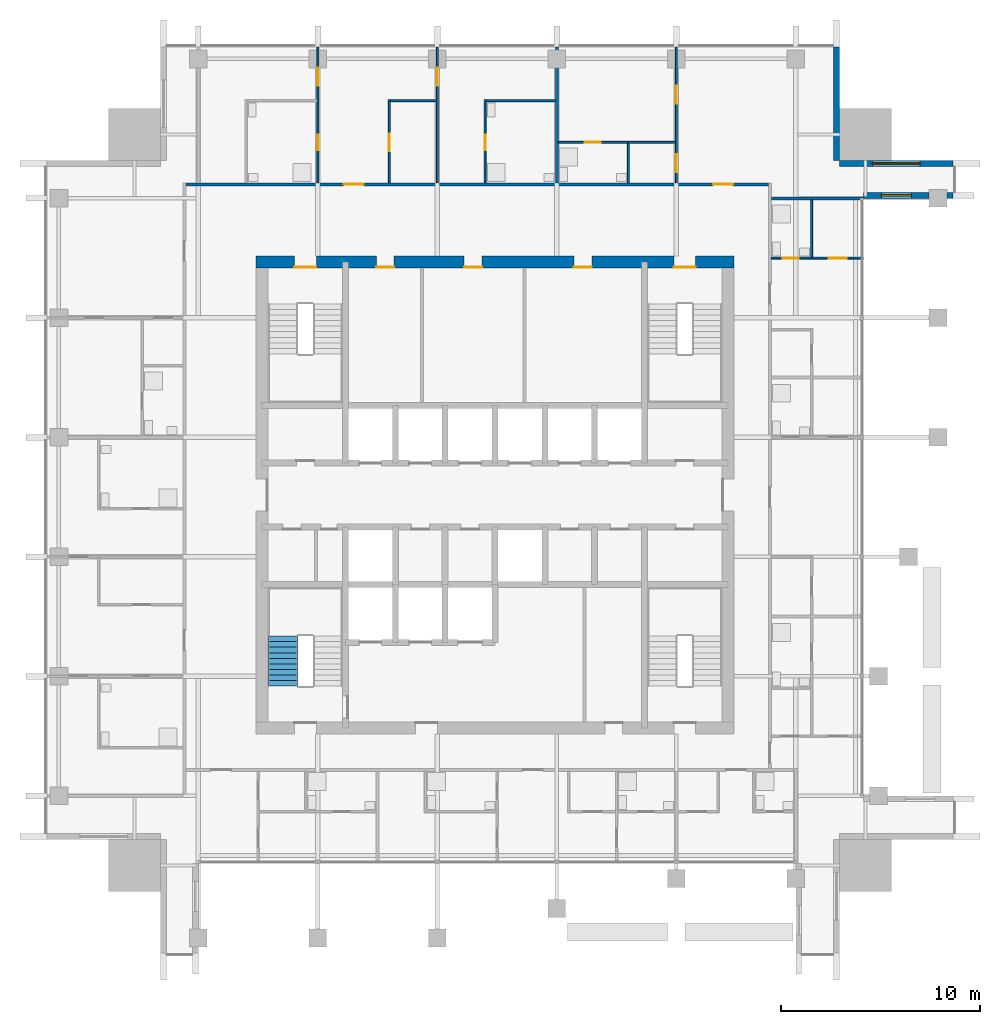
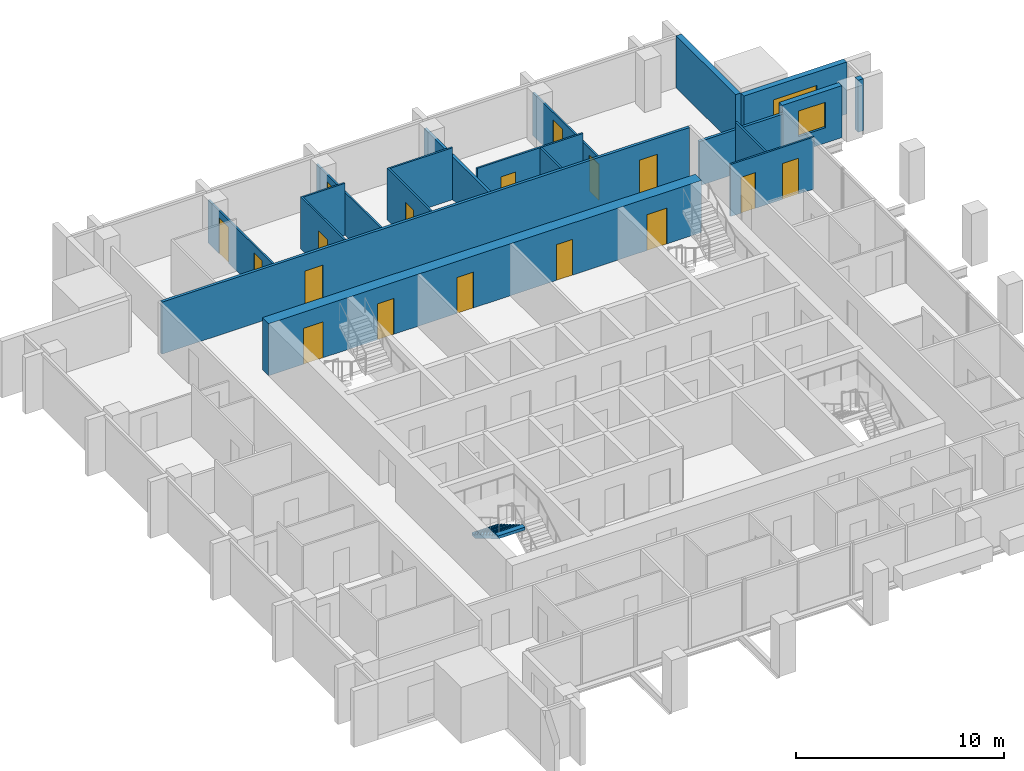
# One storey, part 11 of 14: 19 walls, 17 doors, 2 windows, 1 stair flight, 19 openings, 1 element without a shape of its own.
"""IFC4 building model written with IfcOpenShell, lengths in metres."""

from ifc_helpers import new_model, si_unit, direction, frame, frame_2d, origin, place, context, subcontext, project, spatial, polyline, rectangle, outline, extrude, material, layer, layer_set, type_object, element, fill, aggregate, save


model = new_model("IFC4")

# Units and contexts
model_context = context("Model", 3, precision=1e-05, world=origin(), true_north=direction((0.0, 1.0)))
body_context = subcontext(model_context, "Body", "Model", "MODEL_VIEW")
ifc_project = project(units=[si_unit("LENGTHUNIT", "METRE"), si_unit("AREAUNIT", "SQUARE_METRE"), si_unit("VOLUMEUNIT", "CUBIC_METRE"), si_unit("PLANEANGLEUNIT", "RADIAN"), si_unit("MASSUNIT", "GRAM", prefix="KILO")], contexts=[model_context])

# Site, building, storey
site_placement = place(None, origin())
site = spatial("IfcSite", under=ifc_project, at=site_placement, CompositionType="ELEMENT")
building_placement = place(site_placement, origin())
building = spatial("IfcBuilding", under=site, at=building_placement, Name="Amberfall Residences", CompositionType="ELEMENT")
storey_placement = place(building_placement, frame((0.0, 0.0, 220.0)))
storey = spatial("IfcBuildingStorey", under=building, at=storey_placement, Name="L59", CompositionType="ELEMENT", Elevation=220.0)

# Wall, opening, window
ifc_material_1 = material(Name="Pale stone cladding on insulated backing", Category="masonry")
ifc_layer_1 = layer(ifc_material_1, 0.300048828125)
ifc_layer_set_1 = layer_set([ifc_layer_1], Name="Bronze clad wall 300")
wall_type_1 = type_object("IfcWallType", Name="Bronze clad wall 300", PredefinedType="SOLIDWALL", material=ifc_layer_set_1)
wall_1_placement = place(storey_placement, frame((93.0, 60.550048828125, 0.0), z_axis=(0.0, 0.0, 1.0), x_axis=(1.0, 0.0, 0.0)))
wall_1 = element("IfcWall", 1, at=wall_1_placement, inside=storey, type_object=wall_type_1, Name="External wall L59 E", PredefinedType="SOLIDWALL", context=body_context, shape_type="SweptSolid", body=[
    extrude(rectangle(XDim=3.300048828125, YDim=0.300048828125, at=frame_2d((1.64990234375, 0.0))), origin(), (0.0, 0.0, 1.0), 3.050048828125),
])
opening_1_placement = place(wall_1_placement, frame((0.89990234375, 0.0, 0.89990234375)))
opening_1 = element("IfcOpeningElement", 2, at=opening_1_placement, cuts=wall_1, Name="Opening WN1", PredefinedType="OPENING", context=body_context, shape_type="SweptSolid", body=[
    extrude(rectangle(XDim=1.5, YDim=1.5, at=frame_2d((0.75, 0.75))), frame((0.0, 0.159912109375, 0.0), z_axis=(0.0, -1.0, 0.0), x_axis=(1.0, 0.0, 0.0)), (0.0, 0.0, 1.0), 0.320068359375),
])
ifc_material_2 = material(Name="Bronze aluminium framed glazing", Category="aluminium")
window_type_1 = type_object("IfcWindowType", Name="Window 1500 x 1500 bronze", PartitioningType="DOUBLE_PANEL_VERTICAL", PredefinedType="WINDOW", material=ifc_material_2)
window_1_placement = place(opening_1_placement, origin())
window_1 = element("IfcWindow", 3, at=window_1_placement, inside=storey, type_object=window_type_1, Name="Window L59 E", OverallHeight=1.5, OverallWidth=1.5, PartitioningType="DOUBLE_PANEL_VERTICAL", PredefinedType="WINDOW", context=body_context, shape_type="SweptSolid", body=[
    extrude(rectangle(XDim=1.5, YDim=1.5, at=frame_2d((0.75, 0.75))), frame((0.0, 0.030029296875, 0.0), z_axis=(0.0, -1.0, 0.0), x_axis=(1.0, 0.0, 0.0)), (0.0, 0.0, 1.0), 0.06005859375),
])
fill(opening_1, window_1)

# Wall
wall_2_placement = place(storey_placement, frame((97.199951171875, 60.550048828125, 0.0), z_axis=(0.0, 0.0, 1.0), x_axis=(1.0, 0.0, 0.0)))
element("IfcWall", 4, at=wall_2_placement, inside=storey, type_object=wall_type_1, Name="External wall L59 E", PredefinedType="SOLIDWALL", context=body_context, shape_type="SweptSolid", body=[
    extrude(rectangle(XDim=0.300048828125, YDim=0.300048828125, at=frame_2d((0.14990234375, 0.0))), origin(), (0.0, 0.0, 1.0), 3.050048828125),
])

# Wall, opening, window
wall_3_placement = place(storey_placement, frame((97.5, 62.14990234375, 0.0), z_axis=(0.0, 0.0, 1.0), x_axis=(-1.0, 0.0, 0.0)))
wall_3 = element("IfcWall", 5, at=wall_3_placement, inside=storey, type_object=wall_type_1, Name="External wall L59 NE", PredefinedType="SOLIDWALL", context=body_context, shape_type="SweptSolid", body=[
    extrude(rectangle(XDim=5.699951171875, YDim=0.300048828125, at=frame_2d((2.85009765625, 0.0))), origin(), (0.0, 0.0, 1.0), 3.050048828125),
])
opening_2_placement = place(wall_3_placement, frame((1.64990234375, 0.0, 0.14990234375)))
opening_2 = element("IfcOpeningElement", 6, at=opening_2_placement, cuts=wall_3, Name="Opening WN5", PredefinedType="OPENING", context=body_context, shape_type="SweptSolid", body=[
    extrude(rectangle(XDim=2.39990234375, YDim=2.10009765625, at=frame_2d((1.199951171875, 1.050048828125))), frame((0.0, 0.159912109375, 0.0), z_axis=(0.0, -1.0, 0.0), x_axis=(1.0, 0.0, 0.0)), (0.0, 0.0, 1.0), 0.320068359375),
])
window_type_2 = type_object("IfcWindowType", Name="Glazed opening 2400 x 2100 bronze", PartitioningType="DOUBLE_PANEL_VERTICAL", PredefinedType="WINDOW", material=ifc_material_2)
window_2_placement = place(opening_2_placement, origin())
window_2 = element("IfcWindow", 7, at=window_2_placement, inside=storey, type_object=window_type_2, Name="Window L59 NE", OverallHeight=2.10009765625, OverallWidth=2.39990234375, PartitioningType="DOUBLE_PANEL_VERTICAL", PredefinedType="WINDOW", context=body_context, shape_type="SweptSolid", body=[
    extrude(rectangle(XDim=2.39990234375, YDim=2.10009765625, at=frame_2d((1.199951171875, 1.050048828125))), frame((0.0, 0.030029296875, 0.0), z_axis=(0.0, -1.0, 0.0), x_axis=(1.0, 0.0, 0.0)), (0.0, 0.0, 1.0), 0.06005859375),
])
fill(opening_2, window_2)

# Wall
wall_4_placement = place(storey_placement, frame((91.64990234375, 62.300048828125, 0.0), z_axis=(0.0, 0.0, 1.0), x_axis=(0.0, 1.0, 0.0)))
element("IfcWall", 8, at=wall_4_placement, inside=storey, type_object=wall_type_1, Name="External wall L59 NE", PredefinedType="SOLIDWALL", context=body_context, shape_type="SweptSolid", body=[
    extrude(rectangle(XDim=5.699951171875, YDim=0.300048828125, at=frame_2d((2.85009765625, 0.0))), origin(), (0.0, 0.0, 1.0), 3.050048828125),
])

# Wall, openings, doors
ifc_material_3 = material(Name="Concrete C55", Category="concrete")
ifc_layer_2 = layer(ifc_material_3, 0.60009765625)
ifc_layer_set_2 = layer_set([ifc_layer_2], Name="Core wall 600 C55")
wall_type_2 = type_object("IfcWallType", Name="Core wall 600 C55", PredefinedType="SHEAR", material=ifc_layer_set_2)
wall_5_placement = place(storey_placement, frame((62.5, 57.199951171875, 0.0), z_axis=(0.0, 0.0, 1.0), x_axis=(1.0, 0.0, 0.0)))
wall_5 = element("IfcWall", 9, at=wall_5_placement, inside=storey, type_object=wall_type_2, Name="Core wall RW7 L59 ON", PredefinedType="SHEAR", context=body_context, shape_type="SweptSolid", body=[
    extrude(rectangle(XDim=24.0, YDim=0.60009765625, at=frame_2d((12.0, 0.0))), origin(), (0.0, 0.0, 1.0), 3.050048828125),
])
opening_3_placement = place(wall_5_placement, frame((20.97509765625, 0.0, 0.0)))
opening_3 = element("IfcOpeningElement", 10, at=opening_3_placement, cuts=wall_5, Name="Opening SD1", PredefinedType="OPENING", context=body_context, shape_type="SweptSolid", body=[
    extrude(rectangle(XDim=1.10009765625, YDim=2.10009765625, at=frame_2d((0.550048828125, 1.050048828125))), frame((0.0, 0.31005859375, 0.0), z_axis=(0.0, -1.0, 0.0), x_axis=(1.0, 0.0, 0.0)), (0.0, 0.0, 1.0), 0.6201171875),
])
opening_4_placement = place(wall_5_placement, frame((1.925048828125, 0.0, 0.0)))
opening_4 = element("IfcOpeningElement", 11, at=opening_4_placement, cuts=wall_5, Name="Opening SD1", PredefinedType="OPENING", context=body_context, shape_type="SweptSolid", body=[
    extrude(rectangle(XDim=1.10009765625, YDim=2.10009765625, at=frame_2d((0.550048828125, 1.050048828125))), frame((0.0, 0.31005859375, 0.0), z_axis=(0.0, -1.0, 0.0), x_axis=(1.0, 0.0, 0.0)), (0.0, 0.0, 1.0), 0.6201171875),
])
opening_5_placement = place(wall_5_placement, frame((6.03759765625, 0.0, 0.0)))
opening_5 = element("IfcOpeningElement", 12, at=opening_5_placement, cuts=wall_5, Name="Opening RD1", PredefinedType="OPENING", context=body_context, shape_type="SweptSolid", body=[
    extrude(rectangle(XDim=0.89990234375, YDim=2.10009765625, at=frame_2d((0.449951171875, 1.050048828125))), frame((0.0, 0.31005859375, 0.0), z_axis=(0.0, -1.0, 0.0), x_axis=(1.0, 0.0, 0.0)), (0.0, 0.0, 1.0), 0.6201171875),
])
opening_6_placement = place(wall_5_placement, frame((10.447509765625, 0.0, 0.0)))
opening_6 = element("IfcOpeningElement", 13, at=opening_6_placement, cuts=wall_5, Name="Opening RD1", PredefinedType="OPENING", context=body_context, shape_type="SweptSolid", body=[
    extrude(rectangle(XDim=0.89990234375, YDim=2.10009765625, at=frame_2d((0.449951171875, 1.050048828125))), frame((0.0, 0.31005859375, 0.0), z_axis=(0.0, -1.0, 0.0), x_axis=(1.0, 0.0, 0.0)), (0.0, 0.0, 1.0), 0.6201171875),
])
opening_7_placement = place(wall_5_placement, frame((15.9599609375, 0.0, 0.0)))
opening_7 = element("IfcOpeningElement", 14, at=opening_7_placement, cuts=wall_5, Name="Opening RD1", PredefinedType="OPENING", context=body_context, shape_type="SweptSolid", body=[
    extrude(rectangle(XDim=0.89990234375, YDim=2.10009765625, at=frame_2d((0.449951171875, 1.050048828125))), frame((0.0, 0.31005859375, 0.0), z_axis=(0.0, -1.0, 0.0), x_axis=(1.0, 0.0, 0.0)), (0.0, 0.0, 1.0), 0.6201171875),
])
ifc_material_4 = material(Name="Steel fire door set", Category="steel")
door_type_1 = type_object("IfcDoorType", Name="Service room door 900 x 2100", OperationType="SINGLE_SWING_LEFT", PredefinedType="DOOR", material=ifc_material_4)
door_1_placement = place(opening_5_placement, origin())
door_1 = element("IfcDoor", 15, at=door_1_placement, inside=storey, type_object=door_type_1, Name="RD1 L59", OperationType="SINGLE_SWING_RIGHT", OverallHeight=2.10009765625, OverallWidth=0.89990234375, PredefinedType="DOOR", context=body_context, shape_type="SweptSolid", body=[
    extrude(rectangle(XDim=0.89990234375, YDim=2.10009765625, at=frame_2d((0.449951171875, 1.050048828125))), frame((0.0, -0.2373046875, 0.0), z_axis=(0.0, -1.0, 0.0), x_axis=(1.0, 0.0, 0.0)), (0.0, 0.0, 1.0), 0.050048828125),
])
fill(opening_5, door_1)
door_2_placement = place(opening_6_placement, origin())
door_2 = element("IfcDoor", 16, at=door_2_placement, inside=storey, type_object=door_type_1, Name="RD1 L59", OperationType="SINGLE_SWING_RIGHT", OverallHeight=2.10009765625, OverallWidth=0.89990234375, PredefinedType="DOOR", context=body_context, shape_type="SweptSolid", body=[
    extrude(rectangle(XDim=0.89990234375, YDim=2.10009765625, at=frame_2d((0.449951171875, 1.050048828125))), frame((0.0, -0.2373046875, 0.0), z_axis=(0.0, -1.0, 0.0), x_axis=(1.0, 0.0, 0.0)), (0.0, 0.0, 1.0), 0.050048828125),
])
fill(opening_6, door_2)
door_3_placement = place(opening_7_placement, origin())
door_3 = element("IfcDoor", 17, at=door_3_placement, inside=storey, type_object=door_type_1, Name="RD1 L59", OperationType="SINGLE_SWING_RIGHT", OverallHeight=2.10009765625, OverallWidth=0.89990234375, PredefinedType="DOOR", context=body_context, shape_type="SweptSolid", body=[
    extrude(rectangle(XDim=0.89990234375, YDim=2.10009765625, at=frame_2d((0.449951171875, 1.050048828125))), frame((0.0, -0.2373046875, 0.0), z_axis=(0.0, -1.0, 0.0), x_axis=(1.0, 0.0, 0.0)), (0.0, 0.0, 1.0), 0.050048828125),
])
fill(opening_7, door_3)
door_type_2 = type_object("IfcDoorType", Name="Stair door 1100 x 2100", OperationType="SINGLE_SWING_LEFT", PredefinedType="DOOR", material=ifc_material_4)
door_4_placement = place(opening_3_placement, origin())
door_4 = element("IfcDoor", 18, at=door_4_placement, inside=storey, type_object=door_type_2, Name="SD1 L59", OperationType="SINGLE_SWING_RIGHT", OverallHeight=2.10009765625, OverallWidth=1.10009765625, PredefinedType="DOOR", context=body_context, shape_type="SweptSolid", body=[
    extrude(rectangle(XDim=1.10009765625, YDim=2.10009765625, at=frame_2d((0.550048828125, 1.050048828125))), frame((0.0, -0.2373046875, 0.0), z_axis=(0.0, -1.0, 0.0), x_axis=(1.0, 0.0, 0.0)), (0.0, 0.0, 1.0), 0.050048828125),
])
fill(opening_3, door_4)
door_5_placement = place(opening_4_placement, origin())
door_5 = element("IfcDoor", 19, at=door_5_placement, inside=storey, type_object=door_type_2, Name="SD1 L59", OperationType="SINGLE_SWING_LEFT", OverallHeight=2.10009765625, OverallWidth=1.10009765625, PredefinedType="DOOR", context=body_context, shape_type="SweptSolid", body=[
    extrude(rectangle(XDim=1.10009765625, YDim=2.10009765625, at=frame_2d((0.550048828125, 1.050048828125))), frame((0.0, -0.2373046875, 0.0), z_axis=(0.0, -1.0, 0.0), x_axis=(1.0, 0.0, 0.0)), (0.0, 0.0, 1.0), 0.050048828125),
])
fill(opening_4, door_5)

ifc_material_5 = material(Name="Gypsum board on metal stud")
ifc_layer_3 = layer(ifc_material_5, 0.10009765625)
ifc_layer_set_3 = layer_set([ifc_layer_3], Name="Flat partition 100")
wall_type_3 = type_object("IfcWallType", Name="Flat partition 100", PredefinedType="PARTITIONING", material=ifc_layer_set_3)
wall_6_placement = place(storey_placement, frame((65.60009765625, 61.175048828125, 0.0), z_axis=(0.0, 0.0, 1.0), x_axis=(0.0, 1.0, 0.0)))
wall_6 = element("IfcWall", 20, at=wall_6_placement, inside=storey, type_object=wall_type_3, Name="Partition 008", PredefinedType="PARTITIONING", context=body_context, shape_type="SweptSolid", body=[
    extrude(rectangle(XDim=6.824951171875, YDim=0.10009765625, at=frame_2d((3.41259765625, 0.0))), origin(), (0.0, 0.0, 1.0), 2.51611328125),
])
opening_8_placement = place(wall_6_placement, frame((4.875, 0.0, 0.0)))
opening_8 = element("IfcOpeningElement", 21, at=opening_8_placement, cuts=wall_6, Name="Opening D41", PredefinedType="OPENING", context=body_context, shape_type="SweptSolid", body=[
    extrude(rectangle(XDim=0.89990234375, YDim=2.10009765625, at=frame_2d((0.449951171875, 1.050048828125))), frame((0.0, 0.06005859375, 0.0), z_axis=(0.0, -1.0, 0.0), x_axis=(1.0, 0.0, 0.0)), (0.0, 0.0, 1.0), 0.1201171875),
])
opening_9_placement = place(wall_6_placement, frame((1.625, 0.0, 0.0)))
opening_9 = element("IfcOpeningElement", 22, at=opening_9_placement, cuts=wall_6, Name="Opening D42", PredefinedType="OPENING", context=body_context, shape_type="SweptSolid", body=[
    extrude(rectangle(XDim=0.800048828125, YDim=2.10009765625, at=frame_2d((0.39990234375, 1.050048828125))), frame((0.0, 0.06005859375, 0.0), z_axis=(0.0, -1.0, 0.0), x_axis=(1.0, 0.0, 0.0)), (0.0, 0.0, 1.0), 0.1201171875),
])
ifc_material_6 = material(Name="Timber", Category="wood")
door_type_3 = type_object("IfcDoorType", Name="Bathroom door 800 x 2100", OperationType="SINGLE_SWING_LEFT", PredefinedType="DOOR", material=ifc_material_6)
door_6_placement = place(opening_9_placement, origin())
door_6 = element("IfcDoor", 23, at=door_6_placement, inside=storey, type_object=door_type_3, Name="Door 5907 bath1", OperationType="SINGLE_SWING_LEFT", OverallHeight=2.10009765625, OverallWidth=0.800048828125, PredefinedType="DOOR", context=body_context, shape_type="SweptSolid", body=[
    extrude(rectangle(XDim=0.800048828125, YDim=2.10009765625, at=frame_2d((0.39990234375, 1.050048828125))), frame((0.0, 0.02490234375, 0.0), z_axis=(0.0, -1.0, 0.0), x_axis=(1.0, 0.0, 0.0)), (0.0, 0.0, 1.0), 0.050048828125),
])
fill(opening_9, door_6)
door_type_4 = type_object("IfcDoorType", Name="Internal door 900 x 2100", OperationType="SINGLE_SWING_LEFT", PredefinedType="DOOR", material=ifc_material_6)
door_7_placement = place(opening_8_placement, origin())
door_7 = element("IfcDoor", 24, at=door_7_placement, inside=storey, type_object=door_type_4, Name="Door 5907 bedroom1", OperationType="SINGLE_SWING_LEFT", OverallHeight=2.10009765625, OverallWidth=0.89990234375, PredefinedType="DOOR", context=body_context, shape_type="SweptSolid", body=[
    extrude(rectangle(XDim=0.89990234375, YDim=2.10009765625, at=frame_2d((0.449951171875, 1.050048828125))), frame((0.0, 0.02490234375, 0.0), z_axis=(0.0, -1.0, 0.0), x_axis=(1.0, 0.0, 0.0)), (0.0, 0.0, 1.0), 0.050048828125),
])
fill(opening_8, door_7)

# Wall, opening, door
wall_7_placement = place(storey_placement, frame((69.199951171875, 65.35009765625, 0.0), z_axis=(0.0, 0.0, 1.0), x_axis=(0.0, -1.0, 0.0)))
wall_7 = element("IfcWall", 25, at=wall_7_placement, inside=storey, type_object=wall_type_3, Name="Partition 009", PredefinedType="PARTITIONING", context=body_context, shape_type="SweptSolid", body=[
    extrude(rectangle(XDim=4.175048828125, YDim=0.10009765625, at=frame_2d((2.08740234375, 0.0))), origin(), (0.0, 0.0, 1.0), 3.050048828125),
])
opening_10_placement = place(wall_7_placement, frame((1.699951171875, 0.0, 0.0)))
opening_10 = element("IfcOpeningElement", 26, at=opening_10_placement, cuts=wall_7, Name="Opening D41", PredefinedType="OPENING", context=body_context, shape_type="SweptSolid", body=[
    extrude(rectangle(XDim=0.89990234375, YDim=2.10009765625, at=frame_2d((0.449951171875, 1.050048828125))), frame((0.0, 0.06005859375, 0.0), z_axis=(0.0, -1.0, 0.0), x_axis=(1.0, 0.0, 0.0)), (0.0, 0.0, 1.0), 0.1201171875),
])
door_8_placement = place(opening_10_placement, origin())
door_8 = element("IfcDoor", 27, at=door_8_placement, inside=storey, type_object=door_type_4, Name="Door 5907 kitchen", OperationType="SINGLE_SWING_LEFT", OverallHeight=2.10009765625, OverallWidth=0.89990234375, PredefinedType="DOOR", context=body_context, shape_type="SweptSolid", body=[
    extrude(rectangle(XDim=0.89990234375, YDim=2.10009765625, at=frame_2d((0.449951171875, 1.050048828125))), frame((0.0, 0.02490234375, 0.0), z_axis=(0.0, -1.0, 0.0), x_axis=(1.0, 0.0, 0.0)), (0.0, 0.0, 1.0), 0.050048828125),
])
fill(opening_10, door_8)

wall_8_placement = place(storey_placement, frame((71.60009765625, 68.0, 0.0), z_axis=(0.0, 0.0, 1.0), x_axis=(0.0, -1.0, 0.0)))
wall_8 = element("IfcWall", 28, at=wall_8_placement, inside=storey, type_object=wall_type_3, Name="Partition 011", PredefinedType="PARTITIONING", context=body_context, shape_type="SweptSolid", body=[
    extrude(rectangle(XDim=6.824951171875, YDim=0.10009765625, at=frame_2d((3.41259765625, 0.0))), origin(), (0.0, 0.0, 1.0), 2.51611328125),
])
opening_11_placement = place(wall_8_placement, frame((1.050048828125, 0.0, 0.0)))
opening_11 = element("IfcOpeningElement", 29, at=opening_11_placement, cuts=wall_8, Name="Opening D41", PredefinedType="OPENING", context=body_context, shape_type="SweptSolid", body=[
    extrude(rectangle(XDim=0.89990234375, YDim=2.10009765625, at=frame_2d((0.449951171875, 1.050048828125))), frame((0.0, 0.06005859375, 0.0), z_axis=(0.0, -1.0, 0.0), x_axis=(1.0, 0.0, 0.0)), (0.0, 0.0, 1.0), 0.1201171875),
])
door_9_placement = place(opening_11_placement, origin())
door_9 = element("IfcDoor", 30, at=door_9_placement, inside=storey, type_object=door_type_4, Name="Door 5907 bedroom2", OperationType="SINGLE_SWING_LEFT", OverallHeight=2.10009765625, OverallWidth=0.89990234375, PredefinedType="DOOR", context=body_context, shape_type="SweptSolid", body=[
    extrude(rectangle(XDim=0.89990234375, YDim=2.10009765625, at=frame_2d((0.449951171875, 1.050048828125))), frame((0.0, 0.02490234375, 0.0), z_axis=(0.0, -1.0, 0.0), x_axis=(1.0, 0.0, 0.0)), (0.0, 0.0, 1.0), 0.050048828125),
])
fill(opening_11, door_9)

wall_9_placement = place(storey_placement, frame((74.0, 65.35009765625, 0.0), z_axis=(0.0, 0.0, 1.0), x_axis=(0.0, -1.0, 0.0)))
wall_9 = element("IfcWall", 31, at=wall_9_placement, inside=storey, type_object=wall_type_3, Name="Partition 012", PredefinedType="PARTITIONING", context=body_context, shape_type="SweptSolid", body=[
    extrude(rectangle(XDim=4.175048828125, YDim=0.10009765625, at=frame_2d((2.08740234375, 0.0))), origin(), (0.0, 0.0, 1.0), 3.050048828125),
])
opening_12_placement = place(wall_9_placement, frame((1.75, 0.0, 0.0)))
opening_12 = element("IfcOpeningElement", 32, at=opening_12_placement, cuts=wall_9, Name="Opening D42", PredefinedType="OPENING", context=body_context, shape_type="SweptSolid", body=[
    extrude(rectangle(XDim=0.800048828125, YDim=2.10009765625, at=frame_2d((0.39990234375, 1.050048828125))), frame((0.0, 0.06005859375, 0.0), z_axis=(0.0, -1.0, 0.0), x_axis=(1.0, 0.0, 0.0)), (0.0, 0.0, 1.0), 0.1201171875),
])
door_10_placement = place(opening_12_placement, origin())
door_10 = element("IfcDoor", 33, at=door_10_placement, inside=storey, type_object=door_type_3, Name="Door 5907 bath2", OperationType="SINGLE_SWING_LEFT", OverallHeight=2.10009765625, OverallWidth=0.800048828125, PredefinedType="DOOR", context=body_context, shape_type="SweptSolid", body=[
    extrude(rectangle(XDim=0.800048828125, YDim=2.10009765625, at=frame_2d((0.39990234375, 1.050048828125))), frame((0.0, 0.02490234375, 0.0), z_axis=(0.0, -1.0, 0.0), x_axis=(1.0, 0.0, 0.0)), (0.0, 0.0, 1.0), 0.050048828125),
])
fill(opening_12, door_10)

# Wall
wall_10_placement = place(storey_placement, frame((81.199951171875, 61.175048828125, 0.0), z_axis=(0.0, 0.0, 1.0), x_axis=(0.0, 1.0, 0.0)))
element("IfcWall", 34, at=wall_10_placement, inside=storey, type_object=wall_type_3, Name="Partition 016", PredefinedType="PARTITIONING", context=body_context, shape_type="SweptSolid", body=[
    extrude(rectangle(XDim=1.974853515625, YDim=0.10009765625, at=frame_2d((0.9873046875, 0.0))), origin(), (0.0, 0.0, 1.0), 3.050048828125),
])

# Wall, openings, doors
wall_11_placement = place(storey_placement, frame((83.60009765625, 61.175048828125, 0.0), z_axis=(0.0, 0.0, 1.0), x_axis=(0.0, 1.0, 0.0)))
wall_11 = element("IfcWall", 35, at=wall_11_placement, inside=storey, type_object=wall_type_3, Name="Partition 017", PredefinedType="PARTITIONING", context=body_context, shape_type="SweptSolid", body=[
    extrude(rectangle(XDim=6.824951171875, YDim=0.10009765625, at=frame_2d((3.41259765625, 0.0))), origin(), (0.0, 0.0, 1.0), 2.51611328125),
])
opening_13_placement = place(wall_11_placement, frame((0.52490234375, 0.0, 0.0)))
opening_13 = element("IfcOpeningElement", 36, at=opening_13_placement, cuts=wall_11, Name="Opening D41", PredefinedType="OPENING", context=body_context, shape_type="SweptSolid", body=[
    extrude(rectangle(XDim=0.89990234375, YDim=2.10009765625, at=frame_2d((0.449951171875, 1.050048828125))), frame((0.0, 0.06005859375, 0.0), z_axis=(0.0, -1.0, 0.0), x_axis=(1.0, 0.0, 0.0)), (0.0, 0.0, 1.0), 0.1201171875),
])
opening_14_placement = place(wall_11_placement, frame((3.97509765625, 0.0, 0.0)))
opening_14 = element("IfcOpeningElement", 37, at=opening_14_placement, cuts=wall_11, Name="Opening D41", PredefinedType="OPENING", context=body_context, shape_type="SweptSolid", body=[
    extrude(rectangle(XDim=0.89990234375, YDim=2.10009765625, at=frame_2d((0.449951171875, 1.050048828125))), frame((0.0, 0.06005859375, 0.0), z_axis=(0.0, -1.0, 0.0), x_axis=(1.0, 0.0, 0.0)), (0.0, 0.0, 1.0), 0.1201171875),
])
door_11_placement = place(opening_13_placement, origin())
door_11 = element("IfcDoor", 38, at=door_11_placement, inside=storey, type_object=door_type_4, Name="Door 5908 kitchen", OperationType="SINGLE_SWING_LEFT", OverallHeight=2.10009765625, OverallWidth=0.89990234375, PredefinedType="DOOR", context=body_context, shape_type="SweptSolid", body=[
    extrude(rectangle(XDim=0.89990234375, YDim=2.10009765625, at=frame_2d((0.449951171875, 1.050048828125))), frame((0.0, 0.02490234375, 0.0), z_axis=(0.0, -1.0, 0.0), x_axis=(1.0, 0.0, 0.0)), (0.0, 0.0, 1.0), 0.050048828125),
])
fill(opening_13, door_11)
door_12_placement = place(opening_14_placement, origin())
door_12 = element("IfcDoor", 39, at=door_12_placement, inside=storey, type_object=door_type_4, Name="Door 5908 bedroom1", OperationType="SINGLE_SWING_LEFT", OverallHeight=2.10009765625, OverallWidth=0.89990234375, PredefinedType="DOOR", context=body_context, shape_type="SweptSolid", body=[
    extrude(rectangle(XDim=0.89990234375, YDim=2.10009765625, at=frame_2d((0.449951171875, 1.050048828125))), frame((0.0, 0.02490234375, 0.0), z_axis=(0.0, -1.0, 0.0), x_axis=(1.0, 0.0, 0.0)), (0.0, 0.0, 1.0), 0.050048828125),
])
fill(opening_14, door_12)

# Walls
wall_12_placement = place(storey_placement, frame((90.39990234375, 57.449951171875, 0.0), z_axis=(0.0, 0.0, 1.0), x_axis=(0.0, 1.0, 0.0)))
element("IfcWall", 40, at=wall_12_placement, inside=storey, type_object=wall_type_3, Name="Partition 022", PredefinedType="PARTITIONING", context=body_context, shape_type="SweptSolid", body=[
    extrude(rectangle(XDim=2.875, YDim=0.10009765625, at=frame_2d((1.4375, 0.0))), origin(), (0.0, 0.0, 1.0), 3.050048828125),
])
wall_13_placement = place(storey_placement, frame((69.25, 65.300048828125, 0.0), z_axis=(0.0, 0.0, 1.0), x_axis=(1.0, 0.0, 0.0)))
element("IfcWall", 41, at=wall_13_placement, inside=storey, type_object=wall_type_3, Name="Partition 024", PredefinedType="PARTITIONING", context=body_context, shape_type="SweptSolid", body=[
    extrude(rectangle(XDim=2.300048828125, YDim=0.10009765625, at=frame_2d((1.14990234375, 0.0))), origin(), (0.0, 0.0, 1.0), 3.050048828125),
])
wall_14_placement = place(storey_placement, frame((74.050048828125, 65.300048828125, 0.0), z_axis=(0.0, 0.0, 1.0), x_axis=(1.0, 0.0, 0.0)))
element("IfcWall", 42, at=wall_14_placement, inside=storey, type_object=wall_type_3, Name="Partition 025", PredefinedType="PARTITIONING", context=body_context, shape_type="SweptSolid", body=[
    extrude(rectangle(XDim=3.474853515625, YDim=0.10009765625, at=frame_2d((1.7373046875, 0.0))), origin(), (0.0, 0.0, 1.0), 3.050048828125),
])

# Wall, opening, door
wall_15_placement = place(storey_placement, frame((83.550048828125, 63.199951171875, 0.0), z_axis=(0.0, 0.0, 1.0), x_axis=(-1.0, 0.0, 0.0)))
wall_15 = element("IfcWall", 43, at=wall_15_placement, inside=storey, type_object=wall_type_3, Name="Partition 026", PredefinedType="PARTITIONING", context=body_context, shape_type="SweptSolid", body=[
    extrude(rectangle(XDim=5.875, YDim=0.10009765625, at=frame_2d((2.9375, 0.0))), origin(), (0.0, 0.0, 1.0), 3.050048828125),
])
opening_15_placement = place(wall_15_placement, frame((3.75, 0.0, 0.0)))
opening_15 = element("IfcOpeningElement", 44, at=opening_15_placement, cuts=wall_15, Name="Opening D42", PredefinedType="OPENING", context=body_context, shape_type="SweptSolid", body=[
    extrude(rectangle(XDim=0.800048828125, YDim=2.10009765625, at=frame_2d((0.39990234375, 1.050048828125))), frame((0.0, 0.06005859375, 0.0), z_axis=(0.0, -1.0, 0.0), x_axis=(1.0, 0.0, 0.0)), (0.0, 0.0, 1.0), 0.1201171875),
])
door_13_placement = place(opening_15_placement, origin())
door_13 = element("IfcDoor", 45, at=door_13_placement, inside=storey, type_object=door_type_3, Name="Door 5908 bath1", OperationType="SINGLE_SWING_LEFT", OverallHeight=2.10009765625, OverallWidth=0.800048828125, PredefinedType="DOOR", context=body_context, shape_type="SweptSolid", body=[
    extrude(rectangle(XDim=0.800048828125, YDim=2.10009765625, at=frame_2d((0.39990234375, 1.050048828125))), frame((0.0, 0.02490234375, 0.0), z_axis=(0.0, -1.0, 0.0), x_axis=(1.0, 0.0, 0.0)), (0.0, 0.0, 1.0), 0.050048828125),
])
fill(opening_15, door_13)

# Wall, openings, doors
wall_16_placement = place(storey_placement, frame((88.375, 57.39990234375, 0.0), z_axis=(0.0, 0.0, 1.0), x_axis=(1.0, 0.0, 0.0)))
wall_16 = element("IfcWall", 46, at=wall_16_placement, inside=storey, type_object=wall_type_3, Name="Partition 027", PredefinedType="PARTITIONING", context=body_context, shape_type="SweptSolid", body=[
    extrude(rectangle(XDim=4.625, YDim=0.10009765625, at=frame_2d((2.3125, 0.0))), origin(), (0.0, 0.0, 1.0), 3.050048828125),
])
opening_16_placement = place(wall_16_placement, frame((2.875, 0.0, 0.0)))
opening_16 = element("IfcOpeningElement", 47, at=opening_16_placement, cuts=wall_16, Name="Opening D41", PredefinedType="OPENING", context=body_context, shape_type="SweptSolid", body=[
    extrude(rectangle(XDim=0.89990234375, YDim=2.10009765625, at=frame_2d((0.449951171875, 1.050048828125))), frame((0.0, 0.06005859375, 0.0), z_axis=(0.0, -1.0, 0.0), x_axis=(1.0, 0.0, 0.0)), (0.0, 0.0, 1.0), 0.1201171875),
])
opening_17_placement = place(wall_16_placement, frame((0.574951171875, 0.0, 0.0)))
opening_17 = element("IfcOpeningElement", 48, at=opening_17_placement, cuts=wall_16, Name="Opening D42", PredefinedType="OPENING", context=body_context, shape_type="SweptSolid", body=[
    extrude(rectangle(XDim=0.800048828125, YDim=2.10009765625, at=frame_2d((0.39990234375, 1.050048828125))), frame((0.0, 0.06005859375, 0.0), z_axis=(0.0, -1.0, 0.0), x_axis=(1.0, 0.0, 0.0)), (0.0, 0.0, 1.0), 0.1201171875),
])
door_14_placement = place(opening_17_placement, origin())
door_14 = element("IfcDoor", 49, at=door_14_placement, inside=storey, type_object=door_type_3, Name="Door 5906 bath1", OperationType="SINGLE_SWING_LEFT", OverallHeight=2.10009765625, OverallWidth=0.800048828125, PredefinedType="DOOR", context=body_context, shape_type="SweptSolid", body=[
    extrude(rectangle(XDim=0.800048828125, YDim=2.10009765625, at=frame_2d((0.39990234375, 1.050048828125))), frame((0.0, 0.02490234375, 0.0), z_axis=(0.0, -1.0, 0.0), x_axis=(1.0, 0.0, 0.0)), (0.0, 0.0, 1.0), 0.050048828125),
])
fill(opening_17, door_14)
door_15_placement = place(opening_16_placement, origin())
door_15 = element("IfcDoor", 50, at=door_15_placement, inside=storey, type_object=door_type_4, Name="Door 5906 bedroom1", OperationType="SINGLE_SWING_LEFT", OverallHeight=2.10009765625, OverallWidth=0.89990234375, PredefinedType="DOOR", context=body_context, shape_type="SweptSolid", body=[
    extrude(rectangle(XDim=0.89990234375, YDim=2.10009765625, at=frame_2d((0.449951171875, 1.050048828125))), frame((0.0, 0.02490234375, 0.0), z_axis=(0.0, -1.0, 0.0), x_axis=(1.0, 0.0, 0.0)), (0.0, 0.0, 1.0), 0.050048828125),
])
fill(opening_16, door_15)

# Wall
ifc_material_7 = material(Name="Blockwork, plastered", Category="masonry")
ifc_layer_4 = layer(ifc_material_7, 0.14990234375)
ifc_layer_set_4 = layer_set([ifc_layer_4], Name="Flat separating wall 150")
wall_type_4 = type_object("IfcWallType", Name="Flat separating wall 150", PredefinedType="PARTITIONING", material=ifc_layer_set_4)
wall_17_placement = place(storey_placement, frame((77.60009765625, 61.175048828125, 0.0), z_axis=(0.0, 0.0, 1.0), x_axis=(0.0, 1.0, 0.0)))
element("IfcWall", 51, at=wall_17_placement, inside=storey, type_object=wall_type_4, Name="Separating wall 047", PredefinedType="PARTITIONING", context=body_context, shape_type="SweptSolid", body=[
    extrude(rectangle(XDim=6.824951171875, YDim=0.14990234375, at=frame_2d((3.41259765625, 0.0))), origin(), (0.0, 0.0, 1.0), 2.51611328125),
])

# Wall, openings, doors
wall_18_placement = place(storey_placement, frame((58.97509765625, 61.10009765625, 0.0), z_axis=(0.0, 0.0, 1.0), x_axis=(1.0, 0.0, 0.0)))
wall_18 = element("IfcWall", 52, at=wall_18_placement, inside=storey, type_object=wall_type_4, Name="Separating wall 051", PredefinedType="PARTITIONING", context=body_context, shape_type="SweptSolid", body=[
    extrude(rectangle(XDim=29.25, YDim=0.14990234375, at=frame_2d((14.625, 0.0))), origin(), (0.0, 0.0, 1.0), 3.050048828125),
])
opening_18_placement = place(wall_18_placement, frame((7.925048828125, 0.0, 0.0)))
opening_18 = element("IfcOpeningElement", 53, at=opening_18_placement, cuts=wall_18, Name="Opening D40", PredefinedType="OPENING", context=body_context, shape_type="SweptSolid", body=[
    extrude(rectangle(XDim=1.0, YDim=2.10009765625, at=frame_2d((0.5, 1.050048828125))), frame((0.0, 0.0849609375, 0.0), z_axis=(0.0, -1.0, 0.0), x_axis=(1.0, 0.0, 0.0)), (0.0, 0.0, 1.0), 0.169921875),
])
opening_19_placement = place(wall_18_placement, frame((26.47509765625, 0.0, 0.0)))
opening_19 = element("IfcOpeningElement", 54, at=opening_19_placement, cuts=wall_18, Name="Opening D40", PredefinedType="OPENING", context=body_context, shape_type="SweptSolid", body=[
    extrude(rectangle(XDim=1.0, YDim=2.10009765625, at=frame_2d((0.5, 1.050048828125))), frame((0.0, 0.0849609375, 0.0), z_axis=(0.0, -1.0, 0.0), x_axis=(1.0, 0.0, 0.0)), (0.0, 0.0, 1.0), 0.169921875),
])
ifc_material_8 = material(Name="Timber, fire-rated", Category="wood")
door_type_5 = type_object("IfcDoorType", Name="Flat entrance door FD60 1000 x 2100", OperationType="SINGLE_SWING_LEFT", PredefinedType="DOOR", material=ifc_material_8)
door_16_placement = place(opening_18_placement, origin())
door_16 = element("IfcDoor", 55, at=door_16_placement, inside=storey, type_object=door_type_5, Name="Door 5907 entrance", OperationType="SINGLE_SWING_LEFT", OverallHeight=2.10009765625, OverallWidth=1.0, PredefinedType="DOOR", context=body_context, shape_type="SweptSolid", body=[
    extrude(rectangle(XDim=1.0, YDim=2.10009765625, at=frame_2d((0.5, 1.050048828125))), frame((0.0, 0.02490234375, 0.0), z_axis=(0.0, -1.0, 0.0), x_axis=(1.0, 0.0, 0.0)), (0.0, 0.0, 1.0), 0.050048828125),
])
fill(opening_18, door_16)
door_17_placement = place(opening_19_placement, origin())
door_17 = element("IfcDoor", 56, at=door_17_placement, inside=storey, type_object=door_type_5, Name="Door 5908 entrance", OperationType="SINGLE_SWING_LEFT", OverallHeight=2.10009765625, OverallWidth=1.0, PredefinedType="DOOR", context=body_context, shape_type="SweptSolid", body=[
    extrude(rectangle(XDim=1.0, YDim=2.10009765625, at=frame_2d((0.5, 1.050048828125))), frame((0.0, 0.02490234375, 0.0), z_axis=(0.0, -1.0, 0.0), x_axis=(1.0, 0.0, 0.0)), (0.0, 0.0, 1.0), 0.050048828125),
])
fill(opening_19, door_17)

# Wall
wall_19_placement = place(storey_placement, frame((88.375, 60.39990234375, 0.0), z_axis=(0.0, 0.0, 1.0), x_axis=(1.0, 0.0, 0.0)))
element("IfcWall", 57, at=wall_19_placement, inside=storey, type_object=wall_type_4, Name="Separating wall 052", PredefinedType="PARTITIONING", context=body_context, shape_type="SweptSolid", body=[
    extrude(rectangle(XDim=4.625, YDim=0.14990234375, at=frame_2d((2.3125, 0.0))), origin(), (0.0, 0.0, 1.0), 2.590087890625),
])

# Stair, stair flight
ifc_material_9 = material(Name="Concrete C40", Category="concrete")
stair_type = type_object("IfcStairType", Name="Exit stair 20 risers 165.0 mm", PredefinedType="HALF_TURN_STAIR", material=ifc_material_9)
stair_placement = place(storey_placement, origin())
stair = element("IfcStair", 58, at=stair_placement, inside=storey, type_object=stair_type, Name="L59 Exit stair 1", PredefinedType="HALF_TURN_STAIR")
stair_flight_type = type_object("IfcStairFlightType", Name="Stair flight 10 risers 165.0 mm", PredefinedType="STRAIGHT", material=ifc_material_9)
stair_flight_placement = place(storey_placement, frame((63.85009765625, 38.419921875, 1.64990234375), z_axis=(0.0, 0.0, 1.0), x_axis=(0.0, -1.0, 0.0)))
stair_flight = element("IfcStairFlight", 59, at=stair_flight_placement, type_object=stair_flight_type, Name="ST3 flight 2", NumberOfRisers=10, NumberOfTreads=9, PredefinedType="STRAIGHT", RiserHeight=0.165, TreadLength=0.28, context=body_context, shape_type="SweptSolid", body=[
    extrude(outline(polyline([(0.0, 0.0), (0.0, 0.1650390625), (0.280029296875, 0.1650390625), (0.280029296875, 0.330078125), (0.56005859375, 0.330078125), (0.56005859375, 0.4951171875), (0.840087890625, 0.4951171875), (0.840087890625, 0.659912109375), (1.1201171875, 0.659912109375), (1.1201171875, 0.824951171875), (1.39990234375, 0.824951171875), (1.39990234375, 0.989990234375), (1.679931640625, 0.989990234375), (1.679931640625, 1.155029296875), (1.9599609375, 1.155029296875), (1.9599609375, 1.320068359375), (2.239990234375, 1.320068359375), (2.239990234375, 1.485107421875), (2.52001953125, 1.485107421875), (2.52001953125, 1.64990234375), (2.52001953125, 1.31103515625), (0.295166015625, 0.0), (0.0, 0.0)])), frame((0.0, 0.75, 0.0), z_axis=(0.0, -1.0, 0.0), x_axis=(1.0, 0.0, 0.0)), (0.0, 0.0, 1.0), 1.5),
])
aggregate(stair, [stair_flight])

save(model, "model.ifc")
